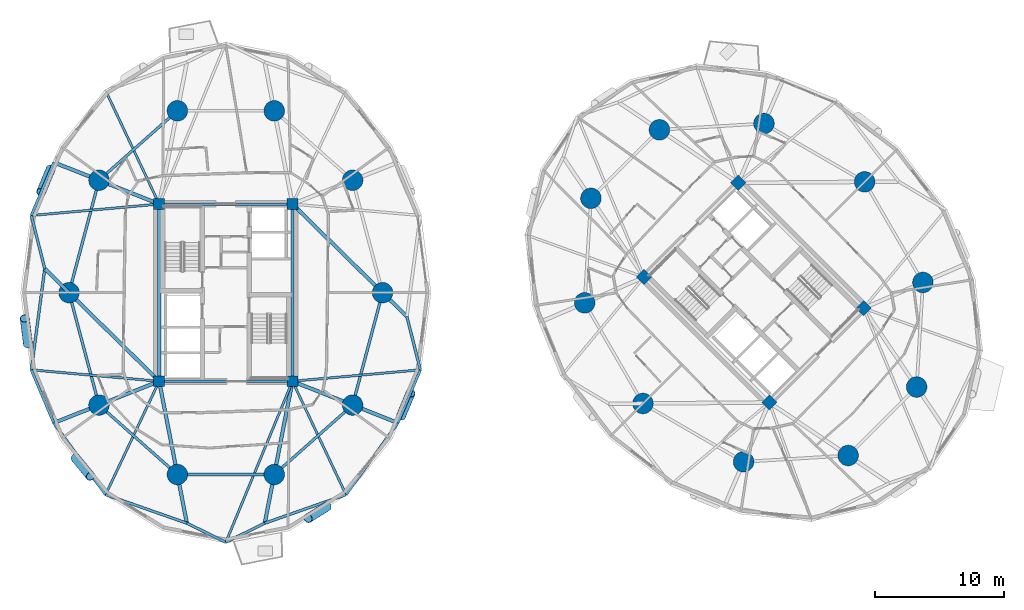
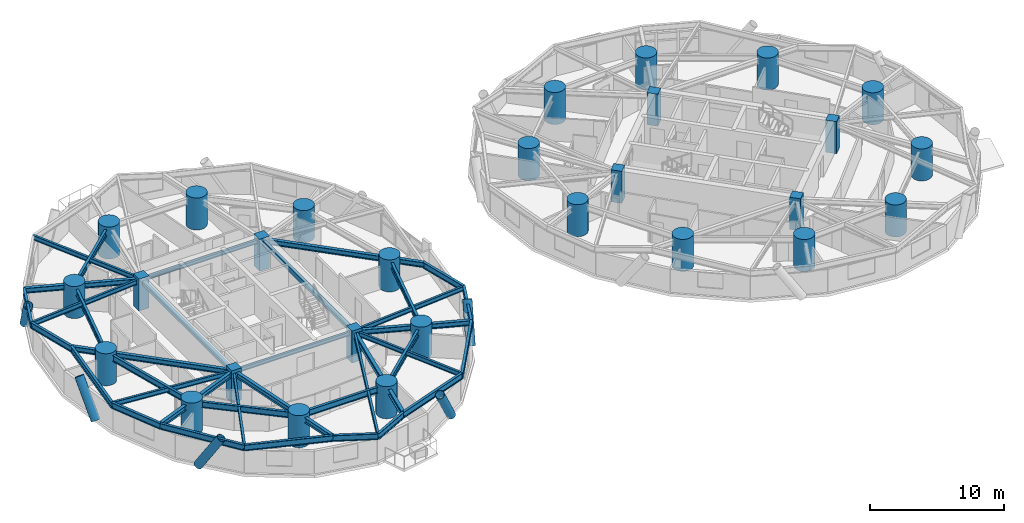
# One storey, part 1 of 18: 38 beams, 28 columns, 5 members.
"""IFC4 building model written with IfcOpenShell, lengths in metres."""

from ifc_helpers import new_model, si_unit, direction, frame, origin, origin_2d, place, context, subcontext, project, spatial, rectangle, hollow_rectangle, circle, hollow_circle, i_section, extrude, material, material_profile, profile_set, type_object, element, save


model = new_model("IFC4")

# Units and contexts
model_context = context("Model", 3, precision=1e-05, world=origin(), true_north=direction((0.0, 1.0)))
body_context = subcontext(model_context, "Body", "Model", "MODEL_VIEW")
ifc_project = project(units=[si_unit("LENGTHUNIT", "METRE"), si_unit("AREAUNIT", "SQUARE_METRE"), si_unit("VOLUMEUNIT", "CUBIC_METRE"), si_unit("PLANEANGLEUNIT", "RADIAN"), si_unit("MASSUNIT", "GRAM", prefix="KILO")], contexts=[model_context])

# Site, building, storey
site_placement = place(None, origin())
site = spatial("IfcSite", under=ifc_project, at=site_placement, CompositionType="ELEMENT")
building_placement = place(site_placement, origin())
building = spatial("IfcBuilding", under=site, at=building_placement, Name="Cununo Teusaquillo Station Towers", CompositionType="ELEMENT")
storey_placement = place(building_placement, frame((0.0, 0.0, 51.10009765625)))
storey = spatial("IfcBuildingStorey", under=building, at=storey_placement, Name="L15", CompositionType="ELEMENT", Elevation=51.10009765625)

# Columns
ifc_material_1 = material(Name="Concrete C50/60", Category="concrete")
ifc_material_profile_1 = material_profile(ifc_material_1, rectangle(XDim=0.85009765625, YDim=0.85009765625, at=origin_2d()), Name="RC-RECT-850x850")
ifc_profile_set_1 = profile_set([ifc_material_profile_1], Name="Concrete C50/60")
column_type_1 = type_object("IfcColumnType", Name="COL-CORE-Z1", PredefinedType="COLUMN", material=ifc_profile_set_1)
for number, where, z_axis, x_axis, name in (
    (1, (11.324951171875, 17.6201171875, 0.0), (0.0, 0.0, 1.0), (1.0, 0.0, 0.0), "L15 Tower A Core Column 1"),
    (2, (11.324951171875, 31.3798828125, 0.0), (0.0, 0.0, 1.0), (1.0, 0.0, 0.0), "L15 Tower A Core Column 2"),
    (3, (21.675048828125, 17.6201171875, 0.0), (0.0, 0.0, 1.0), (1.0, 0.0, 0.0), "L15 Tower A Core Column 3"),
    (4, (21.675048828125, 31.3798828125, 0.0), (0.0, 0.0, 1.0), (1.0, 0.0, 0.0), "L15 Tower A Core Column 4"),
    (5, (58.70556640625, 15.975830078125, 0.0), (0.0, 0.0, 1.0), (0.707106781187, 0.707106781187, 0.0), "L15 Tower B Core Column 1"),
    (6, (48.975830078125, 25.70556640625, 0.0), (0.0, 0.0, 1.0), (0.707106781187, 0.707106781187, 0.0), "L15 Tower B Core Column 2"),
    (7, (66.024169921875, 23.29443359375, 0.0), (0.0, 0.0, 1.0), (0.707106781187, 0.707106781187, 0.0), "L15 Tower B Core Column 3"),
    (8, (56.29443359375, 33.024169921875, 0.0), (0.0, 0.0, 1.0), (0.707106781187, 0.707106781187, 0.0), "L15 Tower B Core Column 4"),
):
    element("IfcColumn", number, at=place(storey_placement, frame(where, z_axis=z_axis, x_axis=x_axis)), inside=storey, type_object=column_type_1, Name=name, PredefinedType="COLUMN", context=body_context, shape_type="SweptSolid", body=[
        extrude(rectangle(XDim=0.85009765625, YDim=0.85009765625, at=origin_2d()), origin(), (0.0, 0.0, 1.0), 2.909912109375),
    ])
ifc_material_2 = material(Name="Concrete C60/75", Category="concrete")
ifc_material_profile_2 = material_profile(ifc_material_2, circle(Radius=0.800048828125, at=origin_2d()), Name="RC-CIRC-1600")
ifc_profile_set_2 = profile_set([ifc_material_profile_2], Name="Concrete C60/75")
column_type_2 = type_object("IfcColumnType", Name="COL-MEGA-Z1", PredefinedType="USERDEFINED", material=ifc_profile_set_2)
for number, where, z_axis, x_axis, name in (
    (9, (28.672119140625, 24.5, 0.0), (0.0, 0.0, 1.0), (1.0, 0.0, 0.0), "L15 Tower A Perimeter Column V00"),
    (10, (26.347412109375, 33.228515625, 0.0), (0.0, 0.0, 1.0), (1.0, 0.0, 0.0), "L15 Tower A Perimeter Column V02"),
    (11, (20.261474609375, 38.623291015625, 0.0), (0.0, 0.0, 1.0), (1.0, 0.0, 0.0), "L15 Tower A Perimeter Column V04"),
    (12, (12.738525390625, 38.623291015625, 0.0), (0.0, 0.0, 1.0), (1.0, 0.0, 0.0), "L15 Tower A Perimeter Column V06"),
    (13, (6.652587890625, 33.228515625, 0.0), (0.0, 0.0, 1.0), (1.0, 0.0, 0.0), "L15 Tower A Perimeter Column V08"),
    (14, (4.327880859375, 24.5, 0.0), (0.0, 0.0, 1.0), (1.0, 0.0, 0.0), "L15 Tower A Perimeter Column V10"),
    (15, (6.652587890625, 15.771484375, 0.0), (0.0, 0.0, 1.0), (1.0, 0.0, 0.0), "L15 Tower A Perimeter Column V12"),
    (16, (12.738525390625, 10.376708984375, 0.0), (0.0, 0.0, 1.0), (1.0, 0.0, 0.0), "L15 Tower A Perimeter Column V14"),
    (17, (20.261474609375, 10.376708984375, 0.0), (0.0, 0.0, 1.0), (1.0, 0.0, 0.0), "L15 Tower A Perimeter Column V16"),
    (18, (26.347412109375, 15.771484375, 0.0), (0.0, 0.0, 1.0), (1.0, 0.0, 0.0), "L15 Tower A Perimeter Column V18"),
    (19, (66.10693359375, 33.10693359375, 0.0), (0.0, 0.0, 1.0), (1.0, 0.0, 0.0), "L15 Tower B Perimeter Column V00"),
    (20, (58.291015625, 37.63525390625, 0.0), (0.0, 0.0, 1.0), (1.0, 0.0, 0.0), "L15 Tower B Perimeter Column V02"),
    (21, (50.173095703125, 37.146240234375, 0.0), (0.0, 0.0, 1.0), (1.0, 0.0, 0.0), "L15 Tower B Perimeter Column V04"),
    (22, (44.853759765625, 31.826904296875, 0.0), (0.0, 0.0, 1.0), (1.0, 0.0, 0.0), "L15 Tower B Perimeter Column V06"),
    (23, (44.36474609375, 23.708984375, 0.0), (0.0, 0.0, 1.0), (1.0, 0.0, 0.0), "L15 Tower B Perimeter Column V08"),
    (24, (48.89306640625, 15.89306640625, 0.0), (0.0, 0.0, 1.0), (1.0, 0.0, 0.0), "L15 Tower B Perimeter Column V10"),
    (25, (56.708984375, 11.36474609375, 0.0), (0.0, 0.0, 1.0), (1.0, 0.0, 0.0), "L15 Tower B Perimeter Column V12"),
    (26, (64.826904296875, 11.853759765625, 0.0), (0.0, 0.0, 1.0), (1.0, 0.0, 0.0), "L15 Tower B Perimeter Column V14"),
    (27, (70.146240234375, 17.173095703125, 0.0), (0.0, 0.0, 1.0), (1.0, 0.0, 0.0), "L15 Tower B Perimeter Column V16"),
    (28, (70.63525390625, 25.291015625, 0.0), (0.0, 0.0, 1.0), (1.0, 0.0, 0.0), "L15 Tower B Perimeter Column V18"),
):
    element("IfcColumn", number, at=place(storey_placement, frame(where, z_axis=z_axis, x_axis=x_axis)), inside=storey, type_object=column_type_2, Name=name, ObjectType="MEGA COLUMN", PredefinedType="USERDEFINED", context=body_context, shape_type="SweptSolid", body=[
        extrude(circle(Radius=0.800048828125, at=origin_2d()), origin(), (0.0, 0.0, 1.0), 2.909912109375),
    ])

# Beams
ifc_material_3 = material(Name="Steel EN 10025-2 S355J2", Category="steel")
ifc_material_profile_3 = material_profile(ifc_material_3, hollow_rectangle(XDim=0.25, YDim=0.449951171875, WallThickness=0.01611328125, at=origin_2d()), Name="RHS 450x250x16")
ifc_profile_set_3 = profile_set([ifc_material_profile_3], Name="Steel EN 10025-2 S355J2")
beam_type_1 = type_object("IfcBeamType", Name="BM-COUP-1", PredefinedType="USERDEFINED", material=ifc_profile_set_3)
for number, where, z_axis, x_axis, name in (
    (29, (11.324951171875, 17.6201171875, 2.4248046875), (0.0, 1.0, 0.0), (-1.0, 0.0, 0.0), "L15 Tower A Core Beam 1"),
    (30, (21.675048828125, 17.6201171875, 2.4248046875), (0.0, 1.0, 0.0), (-1.0, 0.0, 0.0), "L15 Tower A Core Beam 2"),
):
    element("IfcBeam", number, at=place(storey_placement, frame(where, z_axis=z_axis, x_axis=x_axis)), inside=storey, type_object=beam_type_1, Name=name, ObjectType="COUPLING BEAM", PredefinedType="USERDEFINED", context=body_context, shape_type="SweptSolid", body=[
        extrude(hollow_rectangle(XDim=0.25, YDim=0.449951171875, WallThickness=0.01611328125, at=origin_2d()), origin(), (0.0, 0.0, 1.0), 13.759765625),
    ])
ifc_material_4 = material(Name="Steel ASTM A572 Grade 50", Category="steel")
ifc_material_profile_4 = material_profile(ifc_material_4, i_section(OverallWidth=0.180908203125, OverallDepth=0.4169921875, WebThickness=0.010986328125, FlangeThickness=0.018310546875, FilletRadius=0.012939453125, at=origin_2d()), Name="W16X57")
ifc_profile_set_4 = profile_set([ifc_material_profile_4], Name="Steel ASTM A572 Grade 50")
beam_type_2 = type_object("IfcBeamType", Name="BM-JOIST-1", PredefinedType="JOIST", material=ifc_profile_set_4)
beam_1_placement = place(storey_placement, frame((11.324951171875, 31.3798828125, 2.44140625), z_axis=(-0.427160580437, 0.904175778552, 0.0), x_axis=(-0.904175778552, -0.427160580437, 0.0)))
element("IfcBeam", 31, at=beam_1_placement, inside=storey, type_object=beam_type_2, Name="L15 Tower A Radial Spandrel Joist V07", PredefinedType="JOIST", context=body_context, shape_type="SweptSolid", body=[
    extrude(i_section(OverallWidth=0.180908203125, OverallDepth=0.4169921875, WebThickness=0.010986328125, FlangeThickness=0.018310546875, FilletRadius=0.012939453125, at=origin_2d()), origin(), (0.0, 0.0, 1.0), 9.740234375),
])
for number, where, z_axis, x_axis, name in (
    (32, (11.324951171875, 31.3798828125, 2.44140625), (-0.996024214913, -0.089082901314, 0.0), (0.089082901314, -0.996024214913, 0.0), "L15 Tower A Radial Spandrel Joist V09"),
    (33, (11.324951171875, 17.6201171875, 2.44140625), (-0.996024214913, 0.089082901314, 0.0), (-0.089082901314, -0.996024214913, 0.0), "L15 Tower A Radial Spandrel Joist V11"),
):
    element("IfcBeam", number, at=place(storey_placement, frame(where, z_axis=z_axis, x_axis=x_axis)), inside=storey, type_object=beam_type_2, Name=name, PredefinedType="JOIST", context=body_context, shape_type="SweptSolid", body=[
        extrude(i_section(OverallWidth=0.180908203125, OverallDepth=0.4169921875, WebThickness=0.010986328125, FlangeThickness=0.018310546875, FilletRadius=0.012939453125, at=origin_2d()), origin(), (0.0, 0.0, 1.0), 9.97021484375),
    ])
beam_2_placement = place(storey_placement, frame((11.324951171875, 17.6201171875, 2.44140625), z_axis=(-0.427160580437, -0.904175778552, 0.0), x_axis=(0.904175778552, -0.427160580437, 0.0)))
element("IfcBeam", 34, at=beam_2_placement, inside=storey, type_object=beam_type_2, Name="L15 Tower A Radial Spandrel Joist V13", PredefinedType="JOIST", context=body_context, shape_type="SweptSolid", body=[
    extrude(i_section(OverallWidth=0.180908203125, OverallDepth=0.4169921875, WebThickness=0.010986328125, FlangeThickness=0.018310546875, FilletRadius=0.012939453125, at=origin_2d()), origin(), (0.0, 0.0, 1.0), 9.740234375),
])
beam_3_placement = place(storey_placement, frame((21.675048828125, 17.6201171875, 2.44140625), z_axis=(-0.382256753081, -0.924056153447, 0.0), x_axis=(0.924056153447, -0.382256753081, 0.0)))
element("IfcBeam", 35, at=beam_3_placement, inside=storey, type_object=beam_type_2, Name="L15 Tower A Radial Spandrel Joist V15", PredefinedType="JOIST", context=body_context, shape_type="SweptSolid", body=[
    extrude(i_section(OverallWidth=0.180908203125, OverallDepth=0.4169921875, WebThickness=0.010986328125, FlangeThickness=0.018310546875, FilletRadius=0.012939453125, at=origin_2d()), origin(), (0.0, 0.0, 1.0), 13.5380859375),
])
beam_4_placement = place(storey_placement, frame((21.675048828125, 17.6201171875, 2.44140625), z_axis=(0.427160580437, -0.904175778552, 0.0), x_axis=(0.904175778552, 0.427160580437, 0.0)))
element("IfcBeam", 36, at=beam_4_placement, inside=storey, type_object=beam_type_2, Name="L15 Tower A Radial Spandrel Joist V17", PredefinedType="JOIST", context=body_context, shape_type="SweptSolid", body=[
    extrude(i_section(OverallWidth=0.180908203125, OverallDepth=0.4169921875, WebThickness=0.010986328125, FlangeThickness=0.018310546875, FilletRadius=0.012939453125, at=origin_2d()), origin(), (0.0, 0.0, 1.0), 9.740234375),
])
beam_5_placement = place(storey_placement, frame((21.675048828125, 17.6201171875, 2.44140625), z_axis=(0.996024214913, 0.089082901314, 0.0), x_axis=(-0.089082901314, 0.996024214913, 0.0)))
element("IfcBeam", 37, at=beam_5_placement, inside=storey, type_object=beam_type_2, Name="L15 Tower A Radial Spandrel Joist V19", PredefinedType="JOIST", context=body_context, shape_type="SweptSolid", body=[
    extrude(i_section(OverallWidth=0.180908203125, OverallDepth=0.4169921875, WebThickness=0.010986328125, FlangeThickness=0.018310546875, FilletRadius=0.012939453125, at=origin_2d()), origin(), (0.0, 0.0, 1.0), 9.97021484375),
])
ifc_material_5 = material(Name="Steel ASTM A572 Grade 50", Category="steel")
ifc_material_profile_5 = material_profile(ifc_material_5, i_section(OverallWidth=0.2041015625, OverallDepth=0.35009765625, WebThickness=0.008544921875, FlangeThickness=0.01513671875, FilletRadius=0.011962890625, at=origin_2d()), Name="W14X48")
ifc_profile_set_5 = profile_set([ifc_material_profile_5], Name="Steel ASTM A572 Grade 50")
beam_type_3 = type_object("IfcBeamType", Name="BM-LINTEL-1", PredefinedType="LINTEL", material=ifc_profile_set_5)
for number, where, z_axis, x_axis, name in (
    (38, (11.324951171875, 17.6201171875, 2.474853515625), (1.0, 0.0, 0.0), (0.0, 1.0, 0.0), "L15 Tower A Core Beam 3"),
    (39, (11.324951171875, 31.3798828125, 2.474853515625), (1.0, 0.0, 0.0), (0.0, 1.0, 0.0), "L15 Tower A Core Beam 4"),
):
    element("IfcBeam", number, at=place(storey_placement, frame(where, z_axis=z_axis, x_axis=x_axis)), inside=storey, type_object=beam_type_3, Name=name, PredefinedType="LINTEL", context=body_context, shape_type="SweptSolid", body=[
        extrude(i_section(OverallWidth=0.2041015625, OverallDepth=0.35009765625, WebThickness=0.008544921875, FlangeThickness=0.01513671875, FilletRadius=0.011962890625, at=origin_2d()), origin(), (0.0, 0.0, 1.0), 10.35009765625),
    ])
ifc_material_6 = material(Name="Steel ASTM A572 Grade 50", Category="steel")
ifc_material_profile_6 = material_profile(ifc_material_6, i_section(OverallWidth=0.280029296875, OverallDepth=0.462890625, WebThickness=0.0107421875, FlangeThickness=0.017333984375, FilletRadius=0.013916015625, at=origin_2d()), Name="W18X76")
ifc_profile_set_6 = profile_set([ifc_material_profile_6], Name="Steel ASTM A572 Grade 50")
beam_type_4 = type_object("IfcBeamType", Name="BM-RAD-G1", PredefinedType="BEAM", material=ifc_profile_set_6)
beam_6_placement = place(storey_placement, frame((21.675048828125, 31.3798828125, 2.41845703125), z_axis=(0.713048497084, -0.701114713015, 0.0), x_axis=(0.701114713015, 0.713048497084, 0.0)))
element("IfcBeam", 40, at=beam_6_placement, inside=storey, type_object=beam_type_4, Name="L15 Tower A Continuous Overhanging Radial Girder 01", PredefinedType="BEAM", context=body_context, shape_type="SweptSolid", body=[
    extrude(i_section(OverallWidth=0.280029296875, OverallDepth=0.462890625, WebThickness=0.0107421875, FlangeThickness=0.017333984375, FilletRadius=0.013916015625, at=origin_2d()), origin(), (0.0, 0.0, 1.0), 12.458984375),
])
beam_7_placement = place(storey_placement, frame((11.324951171875, 31.3798828125, 2.41845703125), z_axis=(-0.929867137966, 0.367895509256, 0.0), x_axis=(-0.367895509256, -0.929867137966, 0.0)))
element("IfcBeam", 41, at=beam_7_placement, inside=storey, type_object=beam_type_4, Name="L15 Tower A Continuous Overhanging Radial Girder 05", PredefinedType="BEAM", context=body_context, shape_type="SweptSolid", body=[
    extrude(i_section(OverallWidth=0.280029296875, OverallDepth=0.462890625, WebThickness=0.0107421875, FlangeThickness=0.017333984375, FilletRadius=0.013916015625, at=origin_2d()), origin(), (0.0, 0.0, 1.0), 8.798095703125),
])
beam_8_placement = place(storey_placement, frame((11.324951171875, 17.6201171875, 2.41845703125), z_axis=(-0.713052701438, 0.701110437073, 0.0), x_axis=(-0.701110437073, -0.713052701438, 0.0)))
element("IfcBeam", 42, at=beam_8_placement, inside=storey, type_object=beam_type_4, Name="L15 Tower A Radial Girder 06A", PredefinedType="BEAM", context=body_context, shape_type="SweptSolid", body=[
    extrude(i_section(OverallWidth=0.280029296875, OverallDepth=0.462890625, WebThickness=0.0107421875, FlangeThickness=0.017333984375, FilletRadius=0.013916015625, at=origin_2d()), origin(), (0.0, 0.0, 1.0), 9.812744140625),
])
beam_9_placement = place(storey_placement, frame((4.327880859375, 24.5, 2.41845703125), z_axis=(-0.713032905062, 0.701130570079, 0.0), x_axis=(-0.701130570079, -0.713032905062, 0.0)))
element("IfcBeam", 43, at=beam_9_placement, inside=storey, type_object=beam_type_4, Name="L15 Tower A Perimeter Overhang Girder 06B", PredefinedType="BEAM", context=body_context, shape_type="SweptSolid", body=[
    extrude(i_section(OverallWidth=0.280029296875, OverallDepth=0.462890625, WebThickness=0.0107421875, FlangeThickness=0.017333984375, FilletRadius=0.013916015625, at=origin_2d()), origin(), (0.0, 0.0, 1.0), 2.64599609375),
])
beam_10_placement = place(storey_placement, frame((11.324951171875, 17.6201171875, 2.41845703125), z_axis=(-0.929867137966, -0.367895509256, 0.0), x_axis=(0.367895509256, -0.929867137966, 0.0)))
element("IfcBeam", 44, at=beam_10_placement, inside=storey, type_object=beam_type_4, Name="L15 Tower A Continuous Overhanging Radial Girder 07", PredefinedType="BEAM", context=body_context, shape_type="SweptSolid", body=[
    extrude(i_section(OverallWidth=0.280029296875, OverallDepth=0.462890625, WebThickness=0.0107421875, FlangeThickness=0.017333984375, FilletRadius=0.013916015625, at=origin_2d()), origin(), (0.0, 0.0, 1.0), 8.798095703125),
])
for number, where, z_axis, x_axis, name in (
    (45, (11.324951171875, 17.6201171875, 2.41845703125), (0.191552755713, -0.981482318628, 0.0), (0.981482318628, 0.191552755713, 0.0), "L15 Tower A Continuous Overhanging Radial Girder 08"),
    (46, (21.675048828125, 17.6201171875, 2.41845703125), (-0.191552755713, -0.981482318628, 0.0), (0.981482318628, -0.191552755713, 0.0), "L15 Tower A Continuous Overhanging Radial Girder 09"),
):
    element("IfcBeam", number, at=place(storey_placement, frame(where, z_axis=z_axis, x_axis=x_axis)), inside=storey, type_object=beam_type_4, Name=name, PredefinedType="BEAM", context=body_context, shape_type="SweptSolid", body=[
        extrude(i_section(OverallWidth=0.280029296875, OverallDepth=0.462890625, WebThickness=0.0107421875, FlangeThickness=0.017333984375, FilletRadius=0.013916015625, at=origin_2d()), origin(), (0.0, 0.0, 1.0), 11.22998046875),
    ])
beam_11_placement = place(storey_placement, frame((21.675048828125, 17.6201171875, 2.41845703125), z_axis=(0.929867137966, -0.367895509256, 0.0), x_axis=(0.367895509256, 0.929867137966, 0.0)))
element("IfcBeam", 47, at=beam_11_placement, inside=storey, type_object=beam_type_4, Name="L15 Tower A Continuous Overhanging Radial Girder 10", PredefinedType="BEAM", context=body_context, shape_type="SweptSolid", body=[
    extrude(i_section(OverallWidth=0.280029296875, OverallDepth=0.462890625, WebThickness=0.0107421875, FlangeThickness=0.017333984375, FilletRadius=0.013916015625, at=origin_2d()), origin(), (0.0, 0.0, 1.0), 8.798095703125),
])
ifc_material_7 = material(Name="Steel ASTM A572 Grade 50", Category="steel")
ifc_material_profile_7 = material_profile(ifc_material_7, i_section(OverallWidth=0.214111328125, OverallDepth=0.549072265625, WebThickness=0.0146484375, FlangeThickness=0.023681640625, FilletRadius=0.014892578125, at=origin_2d()), Name="W21X93")
ifc_profile_set_7 = profile_set([ifc_material_profile_7], Name="Steel ASTM A572 Grade 50")
beam_type_5 = type_object("IfcBeamType", Name="BM-RING-Z1", PredefinedType="SPANDREL", material=ifc_profile_set_7)
beam_12_placement = place(storey_placement, frame((12.738525390625, 38.623291015625, 2.37548828125), z_axis=(-0.74832120039, -0.66333655187, 0.0), x_axis=(0.66333655187, -0.74832120039, 0.0)))
element("IfcBeam", 48, at=beam_12_placement, inside=storey, type_object=beam_type_5, Name="L15 Tower A Structural Column Ring Girder 04", PredefinedType="SPANDREL", context=body_context, shape_type="SweptSolid", body=[
    extrude(i_section(OverallWidth=0.214111328125, OverallDepth=0.549072265625, WebThickness=0.0146484375, FlangeThickness=0.023681640625, FilletRadius=0.014892578125, at=origin_2d()), origin(), (0.0, 0.0, 1.0), 8.1328125),
])
for number, where, z_axis, x_axis, name in (
    (49, (6.652587890625, 33.228515625, 2.37548828125), (-0.257363196347, -0.966314744359, 0.0), (0.966314744359, -0.257363196347, 0.0), "L15 Tower A Structural Column Ring Girder 05"),
    (50, (4.327880859375, 24.5, 2.37548828125), (0.257363196347, -0.966314744359, 0.0), (0.966314744359, 0.257363196347, 0.0), "L15 Tower A Structural Column Ring Girder 06"),
):
    element("IfcBeam", number, at=place(storey_placement, frame(where, z_axis=z_axis, x_axis=x_axis)), inside=storey, type_object=beam_type_5, Name=name, PredefinedType="SPANDREL", context=body_context, shape_type="SweptSolid", body=[
        extrude(i_section(OverallWidth=0.214111328125, OverallDepth=0.549072265625, WebThickness=0.0146484375, FlangeThickness=0.023681640625, FilletRadius=0.014892578125, at=origin_2d()), origin(), (0.0, 0.0, 1.0), 9.03271484375),
    ])
beam_13_placement = place(storey_placement, frame((6.652587890625, 15.771484375, 2.37548828125), z_axis=(0.74832120039, -0.66333655187, 0.0), x_axis=(0.66333655187, 0.74832120039, 0.0)))
element("IfcBeam", 51, at=beam_13_placement, inside=storey, type_object=beam_type_5, Name="L15 Tower A Structural Column Ring Girder 07", PredefinedType="SPANDREL", context=body_context, shape_type="SweptSolid", body=[
    extrude(i_section(OverallWidth=0.214111328125, OverallDepth=0.549072265625, WebThickness=0.0146484375, FlangeThickness=0.023681640625, FilletRadius=0.014892578125, at=origin_2d()), origin(), (0.0, 0.0, 1.0), 8.1328125),
])
beam_14_placement = place(storey_placement, frame((12.738525390625, 10.376708984375, 2.37548828125), z_axis=(1.0, 0.0, 0.0), x_axis=(0.0, 1.0, 0.0)))
element("IfcBeam", 52, at=beam_14_placement, inside=storey, type_object=beam_type_5, Name="L15 Tower A Structural Column Ring Girder 08", PredefinedType="SPANDREL", context=body_context, shape_type="SweptSolid", body=[
    extrude(i_section(OverallWidth=0.214111328125, OverallDepth=0.549072265625, WebThickness=0.0146484375, FlangeThickness=0.023681640625, FilletRadius=0.014892578125, at=origin_2d()), origin(), (0.0, 0.0, 1.0), 7.52294921875),
])
beam_15_placement = place(storey_placement, frame((20.261474609375, 10.376708984375, 2.37548828125), z_axis=(0.74832120039, 0.66333655187, 0.0), x_axis=(-0.66333655187, 0.74832120039, 0.0)))
element("IfcBeam", 53, at=beam_15_placement, inside=storey, type_object=beam_type_5, Name="L15 Tower A Structural Column Ring Girder 09", PredefinedType="SPANDREL", context=body_context, shape_type="SweptSolid", body=[
    extrude(i_section(OverallWidth=0.214111328125, OverallDepth=0.549072265625, WebThickness=0.0146484375, FlangeThickness=0.023681640625, FilletRadius=0.014892578125, at=origin_2d()), origin(), (0.0, 0.0, 1.0), 8.1328125),
])
beam_16_placement = place(storey_placement, frame((26.347412109375, 15.771484375, 2.37548828125), z_axis=(0.257363196347, 0.966314744359, 0.0), x_axis=(-0.966314744359, 0.257363196347, 0.0)))
element("IfcBeam", 54, at=beam_16_placement, inside=storey, type_object=beam_type_5, Name="L15 Tower A Structural Column Ring Girder 10", PredefinedType="SPANDREL", context=body_context, shape_type="SweptSolid", body=[
    extrude(i_section(OverallWidth=0.214111328125, OverallDepth=0.549072265625, WebThickness=0.0146484375, FlangeThickness=0.023681640625, FilletRadius=0.014892578125, at=origin_2d()), origin(), (0.0, 0.0, 1.0), 9.03271484375),
])
beam_17_placement = place(storey_placement, frame((3.143798828125, 34.61669921875, 2.37548828125), z_axis=(-0.390457491743, -0.920620957366, 0.0), x_axis=(0.920620957366, -0.390457491743, 0.0)))
element("IfcBeam", 55, at=beam_17_placement, inside=storey, type_object=beam_type_5, Name="L15 Tower A Spandrel Ring Beam 09", PredefinedType="SPANDREL", context=body_context, shape_type="SweptSolid", body=[
    extrude(i_section(OverallWidth=0.214111328125, OverallDepth=0.549072265625, WebThickness=0.0146484375, FlangeThickness=0.023681640625, FilletRadius=0.014892578125, at=origin_2d()), origin(), (0.0, 0.0, 1.0), 4.480712890625),
])
beam_18_placement = place(storey_placement, frame((1.394287109375, 30.49169921875, 2.37548828125), z_axis=(0.24534835638, -0.969434981843, 0.0), x_axis=(0.969434981843, 0.24534835638, 0.0)))
element("IfcBeam", 56, at=beam_18_placement, inside=storey, type_object=beam_type_5, Name="L15 Tower A Spandrel Ring Beam 10", PredefinedType="SPANDREL", context=body_context, shape_type="SweptSolid", body=[
    extrude(i_section(OverallWidth=0.214111328125, OverallDepth=0.549072265625, WebThickness=0.0146484375, FlangeThickness=0.023681640625, FilletRadius=0.014892578125, at=origin_2d()), origin(), (0.0, 0.0, 1.0), 4.266845703125),
])
beam_19_placement = place(storey_placement, frame((2.441162109375, 26.355224609375, 2.37548828125), z_axis=(-0.132240482179, -0.991217662712, 0.0), x_axis=(0.991217662712, -0.132240482179, 0.0)))
element("IfcBeam", 57, at=beam_19_placement, inside=storey, type_object=beam_type_5, Name="L15 Tower A Spandrel Ring Beam 11", PredefinedType="SPANDREL", context=body_context, shape_type="SweptSolid", body=[
    extrude(i_section(OverallWidth=0.214111328125, OverallDepth=0.549072265625, WebThickness=0.0146484375, FlangeThickness=0.023681640625, FilletRadius=0.014892578125, at=origin_2d()), origin(), (0.0, 0.0, 1.0), 7.91650390625),
])
beam_20_placement = place(storey_placement, frame((1.394287109375, 18.50830078125, 2.37548828125), z_axis=(0.390457491743, -0.920620957366, 0.0), x_axis=(0.920620957366, 0.390457491743, 0.0)))
element("IfcBeam", 58, at=beam_20_placement, inside=storey, type_object=beam_type_5, Name="L15 Tower A Spandrel Ring Beam 12", PredefinedType="SPANDREL", context=body_context, shape_type="SweptSolid", body=[
    extrude(i_section(OverallWidth=0.214111328125, OverallDepth=0.549072265625, WebThickness=0.0146484375, FlangeThickness=0.023681640625, FilletRadius=0.014892578125, at=origin_2d()), origin(), (0.0, 0.0, 1.0), 4.480712890625),
])
beam_21_placement = place(storey_placement, frame((3.143798828125, 14.38330078125, 2.37548828125), z_axis=(0.585268642749, -0.810839451319, 0.0), x_axis=(0.810839451319, 0.585268642749, 0.0)))
element("IfcBeam", 59, at=beam_21_placement, inside=storey, type_object=beam_type_5, Name="L15 Tower A Spandrel Ring Beam 13", PredefinedType="SPANDREL", context=body_context, shape_type="SweptSolid", body=[
    extrude(i_section(OverallWidth=0.214111328125, OverallDepth=0.549072265625, WebThickness=0.0146484375, FlangeThickness=0.023681640625, FilletRadius=0.014892578125, at=origin_2d()), origin(), (0.0, 0.0, 1.0), 6.86962890625),
])
beam_22_placement = place(storey_placement, frame((7.164306640625, 8.813232421875, 2.37548828125), z_axis=(0.943579776012, -0.33114529485, 0.0), x_axis=(0.33114529485, 0.943579776012, 0.0)))
element("IfcBeam", 60, at=beam_22_placement, inside=storey, type_object=beam_type_5, Name="L15 Tower A Spandrel Ring Beam 14", PredefinedType="SPANDREL", context=body_context, shape_type="SweptSolid", body=[
    extrude(i_section(OverallWidth=0.214111328125, OverallDepth=0.549072265625, WebThickness=0.0146484375, FlangeThickness=0.023681640625, FilletRadius=0.014892578125, at=origin_2d()), origin(), (0.0, 0.0, 1.0), 6.689208984375),
])
for number, where, z_axis, x_axis, name in (
    (61, (13.47607421875, 6.59814453125, 2.37548828125), (0.8972488299, -0.441525239645, 0.0), (0.441525239645, 0.8972488299, 0.0), "L15 Tower A Spandrel Ring Beam 15"),
    (62, (16.5, 5.110107421875, 2.37548828125), (0.8972488299, 0.441525239645, 0.0), (-0.441525239645, 0.8972488299, 0.0), "L15 Tower A Spandrel Ring Beam 16"),
):
    element("IfcBeam", number, at=place(storey_placement, frame(where, z_axis=z_axis, x_axis=x_axis)), inside=storey, type_object=beam_type_5, Name=name, PredefinedType="SPANDREL", context=body_context, shape_type="SweptSolid", body=[
        extrude(i_section(OverallWidth=0.214111328125, OverallDepth=0.549072265625, WebThickness=0.0146484375, FlangeThickness=0.023681640625, FilletRadius=0.014892578125, at=origin_2d()), origin(), (0.0, 0.0, 1.0), 3.3701171875),
    ])
beam_23_placement = place(storey_placement, frame((19.52392578125, 6.59814453125, 2.37548828125), z_axis=(0.943579776012, 0.33114529485, 0.0), x_axis=(-0.33114529485, 0.943579776012, 0.0)))
element("IfcBeam", 63, at=beam_23_placement, inside=storey, type_object=beam_type_5, Name="L15 Tower A Spandrel Ring Beam 17", PredefinedType="SPANDREL", context=body_context, shape_type="SweptSolid", body=[
    extrude(i_section(OverallWidth=0.214111328125, OverallDepth=0.549072265625, WebThickness=0.0146484375, FlangeThickness=0.023681640625, FilletRadius=0.014892578125, at=origin_2d()), origin(), (0.0, 0.0, 1.0), 6.689208984375),
])
beam_24_placement = place(storey_placement, frame((25.835693359375, 8.813232421875, 2.37548828125), z_axis=(0.585268642749, 0.810839451319, 0.0), x_axis=(-0.810839451319, 0.585268642749, 0.0)))
element("IfcBeam", 64, at=beam_24_placement, inside=storey, type_object=beam_type_5, Name="L15 Tower A Spandrel Ring Beam 18", PredefinedType="SPANDREL", context=body_context, shape_type="SweptSolid", body=[
    extrude(i_section(OverallWidth=0.214111328125, OverallDepth=0.549072265625, WebThickness=0.0146484375, FlangeThickness=0.023681640625, FilletRadius=0.014892578125, at=origin_2d()), origin(), (0.0, 0.0, 1.0), 6.86962890625),
])
beam_25_placement = place(storey_placement, frame((29.856201171875, 14.38330078125, 2.37548828125), z_axis=(0.390457491743, 0.920620957366, 0.0), x_axis=(-0.920620957366, 0.390457491743, 0.0)))
element("IfcBeam", 65, at=beam_25_placement, inside=storey, type_object=beam_type_5, Name="L15 Tower A Spandrel Ring Beam 19", PredefinedType="SPANDREL", context=body_context, shape_type="SweptSolid", body=[
    extrude(i_section(OverallWidth=0.214111328125, OverallDepth=0.549072265625, WebThickness=0.0146484375, FlangeThickness=0.023681640625, FilletRadius=0.014892578125, at=origin_2d()), origin(), (0.0, 0.0, 1.0), 4.480712890625),
])
beam_26_placement = place(storey_placement, frame((31.605712890625, 18.50830078125, 2.37548828125), z_axis=(-0.24534835638, 0.969434981843, 0.0), x_axis=(-0.969434981843, -0.24534835638, 0.0)))
element("IfcBeam", 66, at=beam_26_placement, inside=storey, type_object=beam_type_5, Name="L15 Tower A Spandrel Ring Beam 20", PredefinedType="SPANDREL", context=body_context, shape_type="SweptSolid", body=[
    extrude(i_section(OverallWidth=0.214111328125, OverallDepth=0.549072265625, WebThickness=0.0146484375, FlangeThickness=0.023681640625, FilletRadius=0.014892578125, at=origin_2d()), origin(), (0.0, 0.0, 1.0), 4.266845703125),
])

# Members
ifc_material_8 = material(Name="Steel EN 10025-2 S355J2", Category="steel")
ifc_material_profile_8 = material_profile(ifc_material_8, hollow_circle(Radius=0.360107421875, WallThickness=0.028076171875, at=origin_2d()), Name="CHS 720x28")
ifc_profile_set_8 = profile_set([ifc_material_profile_8], Name="Steel EN 10025-2 S355J2")
member_type = type_object("IfcMemberType", Name="MBR-DIAG-Z1", PredefinedType="BRACE", material=ifc_profile_set_8)
member_1_placement = place(storey_placement, frame((2.8984375, 34.095458984375, -0.14013671875), z_axis=(-0.214574395083, -0.514142544064, 0.830430775777), x_axis=(0.92285479051, -0.385148069752, 0.0)))
element("IfcMember", 67, at=member_1_placement, inside=storey, type_object=member_type, Name="L15 Tower A Folded-Zigzag Diagrid Tube C08", PredefinedType="BRACE", context=body_context, shape_type="SweptSolid", body=[
    extrude(hollow_circle(Radius=0.360107421875, WallThickness=0.028076171875, at=origin_2d()), origin(), (0.0, 0.0, 1.0), 3.50439453125),
])
member_2_placement = place(storey_placement, frame((1.13525390625, 20.505615234375, -0.14013671875), z_axis=(-0.073194258533, 0.564306347596, 0.822314384272), x_axis=(-0.991692772403, -0.128629099208, 0.0)))
element("IfcMember", 68, at=member_2_placement, inside=storey, type_object=member_type, Name="L15 Tower A Folded-Zigzag Diagrid Tube C10", PredefinedType="BRACE", context=body_context, shape_type="SweptSolid", body=[
    extrude(hollow_circle(Radius=0.360107421875, WallThickness=0.028076171875, at=origin_2d()), origin(), (0.0, 0.0, 1.0), 3.5390625),
])
member_3_placement = place(storey_placement, frame((4.82177734375, 11.6728515625, -0.14013671875), z_axis=(0.339717293986, -0.414714295097, 0.844158879364), x_axis=(0.773586366768, 0.633690881385, 0.0)))
element("IfcMember", 69, at=member_3_placement, inside=storey, type_object=member_type, Name="L15 Tower A Folded-Zigzag Diagrid Tube C12", PredefinedType="BRACE", context=body_context, shape_type="SweptSolid", body=[
    extrude(hollow_circle(Radius=0.360107421875, WallThickness=0.028076171875, at=origin_2d()), origin(), (0.0, 0.0, 1.0), 3.447509765625),
])
member_4_placement = place(storey_placement, frame((24.35986328125, 7.89501953125, -0.14013671875), z_axis=(-0.435392615837, -0.270814927303, 0.858540939748), x_axis=(0.528166860975, -0.849140604946, 0.0)))
element("IfcMember", 70, at=member_4_placement, inside=storey, type_object=member_type, Name="L15 Tower A Folded-Zigzag Diagrid Tube C16", PredefinedType="BRACE", context=body_context, shape_type="SweptSolid", body=[
    extrude(hollow_circle(Radius=0.360107421875, WallThickness=0.028076171875, at=origin_2d()), origin(), (0.0, 0.0, 1.0), 3.3896484375),
])
member_5_placement = place(storey_placement, frame((30.1015625, 14.904541015625, -0.14013671875), z_axis=(0.214574395083, 0.514142544064, 0.830430775777), x_axis=(-0.92285479051, 0.385148069752, 0.0)))
element("IfcMember", 71, at=member_5_placement, inside=storey, type_object=member_type, Name="L15 Tower A Folded-Zigzag Diagrid Tube C18", PredefinedType="BRACE", context=body_context, shape_type="SweptSolid", body=[
    extrude(hollow_circle(Radius=0.360107421875, WallThickness=0.028076171875, at=origin_2d()), origin(), (0.0, 0.0, 1.0), 3.50439453125),
])

save(model, "model.ifc")
